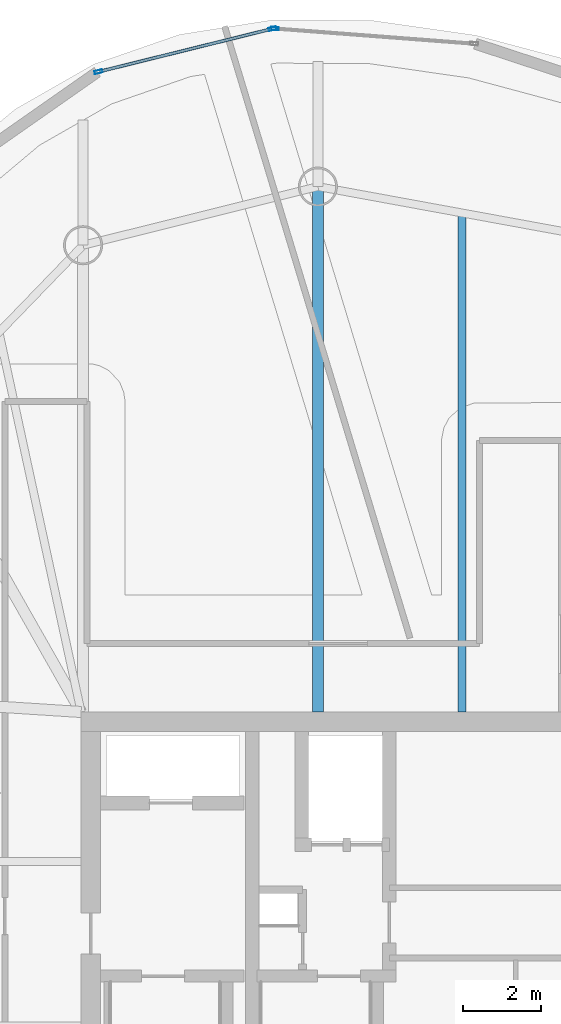
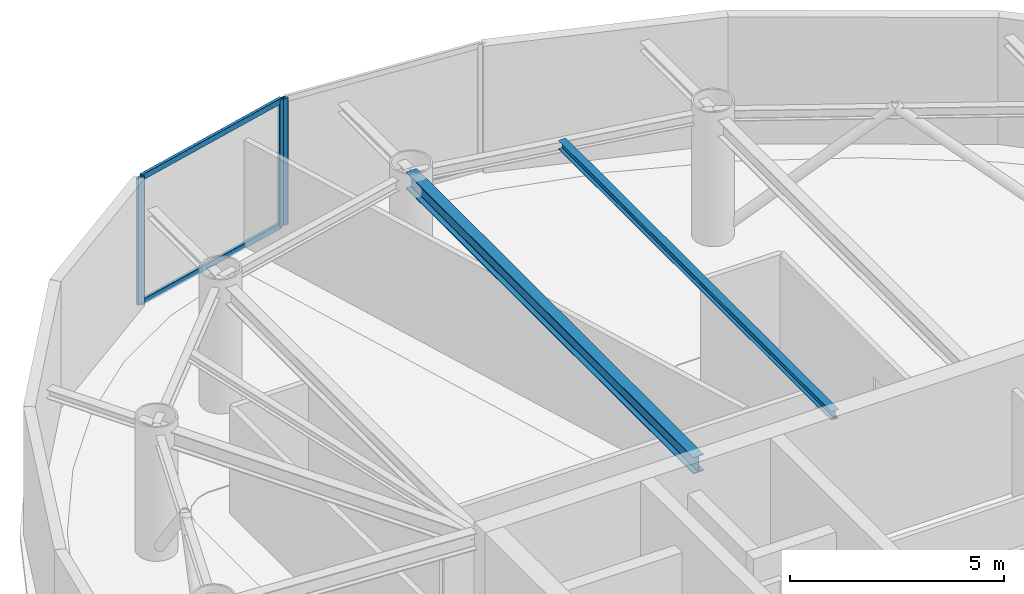
# One storey, part 12 of 23: 5 members, 2 beams, 2 elements without a shape of their own.
"""IFC4 building model written with IfcOpenShell, lengths in metres."""

from ifc_helpers import new_model, si_unit, direction, frame, origin, origin_2d, place, context, subcontext, project, spatial, hollow_rectangle, i_section, extrude, material, layer, layer_set, material_profile, profile_set, type_object, element, aggregate, save


model = new_model("IFC4")

# Units and contexts
model_context = context("Model", 3, precision=1e-05, world=origin(), true_north=direction((0.0, 1.0)))
body_context = subcontext(model_context, "Body", "Model", "MODEL_VIEW")
ifc_project = project(units=[si_unit("LENGTHUNIT", "METRE"), si_unit("AREAUNIT", "SQUARE_METRE"), si_unit("VOLUMEUNIT", "CUBIC_METRE"), si_unit("PLANEANGLEUNIT", "RADIAN"), si_unit("MASSUNIT", "GRAM", prefix="KILO")], contexts=[model_context])

# Site, building, storey
site_placement = place(None, origin())
site = spatial("IfcSite", under=ifc_project, at=site_placement, CompositionType="ELEMENT")
building_placement = place(site_placement, origin())
building = spatial("IfcBuilding", under=site, at=building_placement, Name="Bramvorn Convention Spire", CompositionType="ELEMENT")
storey_placement = place(building_placement, frame((0.0, 0.0, 295.949951171875)))
storey = spatial("IfcBuildingStorey", under=building, at=storey_placement, Name="L75", CompositionType="ELEMENT", Elevation=295.949951171875)

# Beams
ifc_material_1 = material(Name="Steel CSA G40.21 Grade 350 (350W)", Category="steel")
ifc_material_profile_1 = material_profile(ifc_material_1, i_section(OverallWidth=0.201904296875, OverallDepth=0.2470703125, WebThickness=0.00732421875, FlangeThickness=0.010986328125, FilletRadius=0.011962890625, at=origin_2d()))
ifc_profile_set_1 = profile_set([ifc_material_profile_1], Name="Steel CSA G40.21 Grade 350 (350W) - W250X49")
beam_type_1 = type_object("IfcBeamType", Name="BM-W250X49", PredefinedType="JOIST", material=ifc_profile_set_1)
beam_1_placement = place(storey_placement, frame((36.498046875, 33.449951171875, 3.50146484375), z_axis=(0.0, 1.0, 0.0), x_axis=(-1.0, 0.0, 0.0)))
element("IfcBeam", 1, at=beam_1_placement, inside=storey, type_object=beam_type_1, Name="L75 composite floor joist 07", PredefinedType="JOIST", context=body_context, shape_type="SweptSolid", body=[
    extrude(i_section(OverallWidth=0.201904296875, OverallDepth=0.2470703125, WebThickness=0.00732421875, FlangeThickness=0.010986328125, FilletRadius=0.011962890625, at=origin_2d()), origin(), (0.0, 0.0, 1.0), 12.77587890625),
])
ifc_material_profile_2 = material_profile(ifc_material_1, i_section(OverallWidth=0.283935546875, OverallDepth=0.47607421875, WebThickness=0.014892578125, FlangeThickness=0.02392578125, FilletRadius=0.01806640625, at=origin_2d()))
ifc_profile_set_2 = profile_set([ifc_material_profile_2], Name="Steel CSA G40.21 Grade 350 (350W) - W460X158")
beam_type_2 = type_object("IfcBeamType", Name="BM-W460X158", PredefinedType="SPANDREL", material=ifc_profile_set_2)
beam_2_placement = place(storey_placement, frame((32.8115234375, 33.449951171875, 3.386962890625), z_axis=(0.0, 1.0, 0.0), x_axis=(-1.0, 0.0, 0.0)))
element("IfcBeam", 2, at=beam_2_placement, inside=storey, type_object=beam_type_2, Name="L75 radial floor girder MC08", PredefinedType="SPANDREL", context=body_context, shape_type="SweptSolid", body=[
    extrude(i_section(OverallWidth=0.283935546875, OverallDepth=0.47607421875, WebThickness=0.014892578125, FlangeThickness=0.02392578125, FilletRadius=0.01806640625, at=origin_2d()), origin(), (0.0, 0.0, 1.0), 13.450927734375),
])

# Curtain wall, member
ifc_material_2 = material(Name="Anodised Bronze Unitised Curtain Wall", Category="aluminium")
ifc_layer = layer(ifc_material_2, 0.179931640625)
ifc_layer_set = layer_set([ifc_layer], Name="Anodised Bronze Unitised Curtain Wall - CW-OFF-FRIT")
curtain_wall_type = type_object("IfcCurtainWallType", Name="CW-OFF-FRIT", PredefinedType="USERDEFINED", material=ifc_layer_set)
curtain_wall_1_placement = place(storey_placement, origin())
curtain_wall_1 = element("IfcCurtainWall", 3, at=curtain_wall_1_placement, inside=storey, type_object=curtain_wall_type, Name="L75 fritted glass curtain wall 11", ObjectType="UNITISED CURTAIN WALL", PredefinedType="USERDEFINED")
ifc_material_3 = material(Name="Anodised Bronze Aluminium 6063-T6", Category="aluminium")
ifc_material_profile_3 = material_profile(ifc_material_3, hollow_rectangle(XDim=0.080078125, YDim=0.199951171875, WallThickness=0.00390625, InnerFilletRadius=0.0009765625, OuterFilletRadius=0.00390625, at=origin_2d()))
ifc_profile_set_3 = profile_set([ifc_material_profile_3], Name="Anodised Bronze Aluminium 6063-T6 - CWM80X200")
member_type_1 = type_object("IfcMemberType", Name="CW-MUL-180", PredefinedType="MULLION", material=ifc_profile_set_3)
member_1_placement = place(storey_placement, frame((31.70849609375, 50.947509765625, 0.0), z_axis=(0.0, 0.0, 1.0), x_axis=(0.075939028641, 0.99711246303, 0.0)))
member_1 = element("IfcMember", 4, at=member_1_placement, type_object=member_type_1, Name="CW3 mullion 1", PredefinedType="MULLION", context=body_context, shape_type="SweptSolid", body=[
    extrude(hollow_rectangle(XDim=0.080078125, YDim=0.199951171875, WallThickness=0.00390625, InnerFilletRadius=0.0009765625, OuterFilletRadius=0.00390625, at=origin_2d()), origin(), (0.0, 0.0, 1.0), 3.625),
])
aggregate(curtain_wall_1, [member_1])

# Curtain wall, members
curtain_wall_2_placement = place(storey_placement, origin())
curtain_wall_2 = element("IfcCurtainWall", 5, at=curtain_wall_2_placement, inside=storey, type_object=curtain_wall_type, Name="L75 fritted glass curtain wall 12", ObjectType="UNITISED CURTAIN WALL", PredefinedType="USERDEFINED")
member_2_placement = place(storey_placement, frame((27.193115234375, 49.839599609375, 0.0), z_axis=(0.0, 0.0, 1.0), x_axis=(-0.240288613081, 0.970701489864, 0.0)))
member_2 = element("IfcMember", 6, at=member_2_placement, type_object=member_type_1, Name="CW3 mullion 1", PredefinedType="MULLION", context=body_context, shape_type="SweptSolid", body=[
    extrude(hollow_rectangle(XDim=0.080078125, YDim=0.199951171875, WallThickness=0.00390625, InnerFilletRadius=0.0009765625, OuterFilletRadius=0.00390625, at=origin_2d()), origin(), (0.0, 0.0, 1.0), 3.625),
])
member_3_placement = place(storey_placement, frame((31.6494140625, 50.942626953125, 0.0), z_axis=(0.0, 0.0, 1.0), x_axis=(-0.240288613081, 0.970701489864, 0.0)))
member_3 = element("IfcMember", 7, at=member_3_placement, type_object=member_type_1, Name="CW3 mullion 2", PredefinedType="MULLION", context=body_context, shape_type="SweptSolid", body=[
    extrude(hollow_rectangle(XDim=0.080078125, YDim=0.199951171875, WallThickness=0.00390625, InnerFilletRadius=0.0009765625, OuterFilletRadius=0.00390625, at=origin_2d()), origin(), (0.0, 0.0, 1.0), 3.625),
])
ifc_material_profile_4 = material_profile(ifc_material_3, hollow_rectangle(XDim=0.080078125, YDim=0.159912109375, WallThickness=0.00390625, InnerFilletRadius=0.0009765625, OuterFilletRadius=0.00390625, at=origin_2d()))
ifc_profile_set_4 = profile_set([ifc_material_profile_4], Name="Anodised Bronze Aluminium 6063-T6 - CWT80X160")
member_type_2 = type_object("IfcMemberType", Name="CW-TRN-150", PredefinedType="USERDEFINED", material=ifc_profile_set_4)
member_4_placement = place(storey_placement, frame((27.222412109375, 49.8466796875, 0.030029296875), z_axis=(0.970704094117, 0.240278092354, 0.0), x_axis=(-0.240278092354, 0.970704094117, 0.0)))
member_4 = element("IfcMember", 8, at=member_4_placement, type_object=member_type_2, Name="CW3 transom 1.1", ObjectType="TRANSOM", PredefinedType="USERDEFINED", context=body_context, shape_type="SweptSolid", body=[
    extrude(hollow_rectangle(XDim=0.080078125, YDim=0.159912109375, WallThickness=0.00390625, InnerFilletRadius=0.0009765625, OuterFilletRadius=0.00390625, at=origin_2d()), origin(), (0.0, 0.0, 1.0), 4.53076171875),
])
member_5_placement = place(storey_placement, frame((27.222412109375, 49.8466796875, 3.594970703125), z_axis=(0.970704094117, 0.240278092354, 0.0), x_axis=(-0.240278092354, 0.970704094117, 0.0)))
member_5 = element("IfcMember", 9, at=member_5_placement, type_object=member_type_2, Name="CW3 transom 1.2", ObjectType="TRANSOM", PredefinedType="USERDEFINED", context=body_context, shape_type="SweptSolid", body=[
    extrude(hollow_rectangle(XDim=0.080078125, YDim=0.159912109375, WallThickness=0.00390625, InnerFilletRadius=0.0009765625, OuterFilletRadius=0.00390625, at=origin_2d()), origin(), (0.0, 0.0, 1.0), 4.53076171875),
])
aggregate(curtain_wall_2, [member_2, member_3, member_4, member_5])

save(model, "model.ifc")
